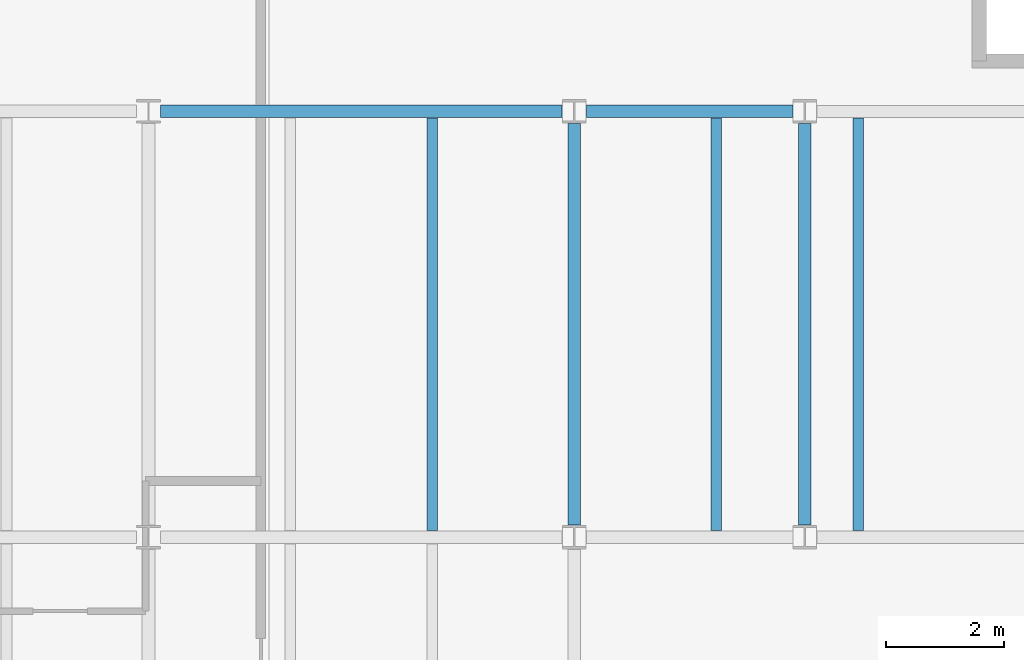
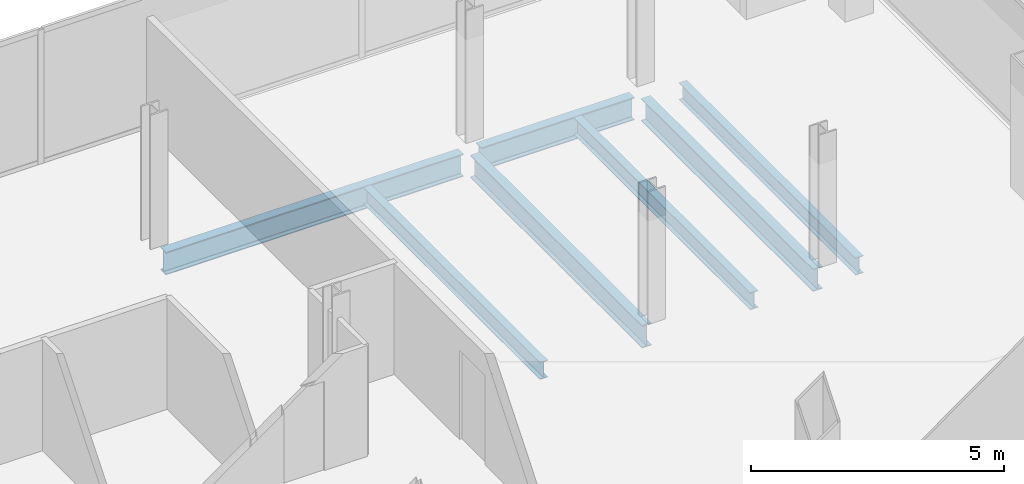
# One storey, part 15 of 23: 7 beams.
"""IFC4 building model written with IfcOpenShell, lengths in metres."""

from ifc_helpers import new_model, si_unit, direction, frame, origin, origin_2d, place, context, subcontext, project, spatial, i_section, extrude, material, material_profile, profile_set, type_object, element, save


model = new_model("IFC4")

# Units and contexts
model_context = context("Model", 3, precision=1e-05, world=origin(), true_north=direction((0.0, 1.0)))
body_context = subcontext(model_context, "Body", "Model", "MODEL_VIEW")
ifc_project = project(units=[si_unit("LENGTHUNIT", "METRE"), si_unit("AREAUNIT", "SQUARE_METRE"), si_unit("VOLUMEUNIT", "CUBIC_METRE"), si_unit("PLANEANGLEUNIT", "RADIAN"), si_unit("MASSUNIT", "GRAM", prefix="KILO")], contexts=[model_context])

# Site, building, storey
site_placement = place(None, origin())
site = spatial("IfcSite", under=ifc_project, at=site_placement, CompositionType="ELEMENT")
building_placement = place(site_placement, origin())
building = spatial("IfcBuilding", under=site, at=building_placement, Name="Cobrela Telecom Tower", CompositionType="ELEMENT")
storey_placement = place(building_placement, frame((0.0, 0.0, 272.64990234375)))
storey = spatial("IfcBuildingStorey", under=building, at=storey_placement, Name="L71", CompositionType="ELEMENT", Elevation=272.64990234375)

# Beams
ifc_material = material(Name="Steel ASTM A992 Grade 50", Category="steel")
ifc_material_profile_1 = material_profile(ifc_material, i_section(OverallWidth=0.212890625, OverallDepth=0.549072265625, WebThickness=0.0146484375, FlangeThickness=0.023681640625, FilletRadius=0.013916015625, at=origin_2d()), Name="W21X93")
ifc_profile_set_1 = profile_set([ifc_material_profile_1], Name="Steel ASTM A992 Grade 50")
beam_type_1 = type_object("IfcBeamType", Name="BM-GIRD-08", PredefinedType="USERDEFINED", material=ifc_profile_set_1)
beam_1_placement = place(storey_placement, frame((29.00439453125, 21.60009765625, -0.534423828125), z_axis=(1.0, 0.0, 0.0), x_axis=(0.0, 1.0, 0.0)))
element("IfcBeam", 1, at=beam_1_placement, inside=storey, type_object=beam_type_1, Name="L71 Primary Girder X12", ObjectType="GIRDER", PredefinedType="USERDEFINED", context=body_context, shape_type="SweptSolid", body=[
    extrude(i_section(OverallWidth=0.212890625, OverallDepth=0.549072265625, WebThickness=0.0146484375, FlangeThickness=0.023681640625, FilletRadius=0.013916015625, at=origin_2d()), origin(), (0.0, 0.0, 1.0), 6.791015625),
])
beam_2_placement = place(storey_placement, frame((36.20458984375, 21.60009765625, -0.534423828125), z_axis=(1.0, 0.0, 0.0), x_axis=(0.0, 1.0, 0.0)))
element("IfcBeam", 2, at=beam_2_placement, inside=storey, type_object=beam_type_1, Name="L71 Primary Girder X13", ObjectType="GIRDER", PredefinedType="USERDEFINED", context=body_context, shape_type="SweptSolid", body=[
    extrude(i_section(OverallWidth=0.212890625, OverallDepth=0.549072265625, WebThickness=0.0146484375, FlangeThickness=0.023681640625, FilletRadius=0.013916015625, at=origin_2d()), origin(), (0.0, 0.0, 1.0), 3.490966796875),
])
for number, where, z_axis, x_axis, name in (
    (3, (36.0, 14.6044921875, -0.534423828125), (0.0, 1.0, 0.0), (-1.0, 0.0, 0.0), "L71 Primary Girder Y32"),
    (4, (39.89990234375, 14.6044921875, -0.534423828125), (0.0, 1.0, 0.0), (-1.0, 0.0, 0.0), "L71 Primary Girder Y33"),
):
    element("IfcBeam", number, at=place(storey_placement, frame(where, z_axis=z_axis, x_axis=x_axis)), inside=storey, type_object=beam_type_1, Name=name, ObjectType="GIRDER", PredefinedType="USERDEFINED", context=body_context, shape_type="SweptSolid", body=[
        extrude(i_section(OverallWidth=0.212890625, OverallDepth=0.549072265625, WebThickness=0.0146484375, FlangeThickness=0.023681640625, FilletRadius=0.013916015625, at=origin_2d()), origin(), (0.0, 0.0, 1.0), 6.791015625),
    ])
ifc_material_profile_2 = material_profile(ifc_material, i_section(OverallWidth=0.179931640625, OverallDepth=0.4169921875, WebThickness=0.010986328125, FlangeThickness=0.01806640625, FilletRadius=0.011962890625, at=origin_2d()), Name="W16X57")
ifc_profile_set_2 = profile_set([ifc_material_profile_2], Name="Steel ASTM A992 Grade 50")
beam_type_2 = type_object("IfcBeamType", Name="BM-JOIST-04", PredefinedType="JOIST", material=ifc_profile_set_2)
for number, where, z_axis, x_axis, name in (
    (5, (33.60009765625, 14.511474609375, -0.468505859375), (0.0, 1.0, 0.0), (-1.0, 0.0, 0.0), "L71 Secondary Composite Floor Beam J14"),
    (6, (38.39990234375, 14.511474609375, -0.468505859375), (0.0, 1.0, 0.0), (-1.0, 0.0, 0.0), "L71 Secondary Composite Floor Beam J15"),
):
    element("IfcBeam", number, at=place(storey_placement, frame(where, z_axis=z_axis, x_axis=x_axis)), inside=storey, type_object=beam_type_2, Name=name, PredefinedType="JOIST", context=body_context, shape_type="SweptSolid", body=[
        extrude(i_section(OverallWidth=0.179931640625, OverallDepth=0.4169921875, WebThickness=0.010986328125, FlangeThickness=0.01806640625, FilletRadius=0.011962890625, at=origin_2d()), origin(), (0.0, 0.0, 1.0), 6.97705078125),
    ])
beam_3_placement = place(storey_placement, frame((40.800048828125, 14.511474609375, -0.468505859375), z_axis=(0.0, 1.0, 0.0), x_axis=(-1.0, 0.0, 0.0)))
element("IfcBeam", 7, at=beam_3_placement, inside=storey, type_object=beam_type_2, Name="L71 Secondary Composite Floor Beam J16", PredefinedType="JOIST", context=body_context, shape_type="SweptSolid", body=[
    extrude(i_section(OverallWidth=0.179931640625, OverallDepth=0.4169921875, WebThickness=0.010986328125, FlangeThickness=0.01806640625, FilletRadius=0.011962890625, at=origin_2d()), origin(), (0.0, 0.0, 1.0), 6.98095703125),
])

save(model, "model.ifc")
